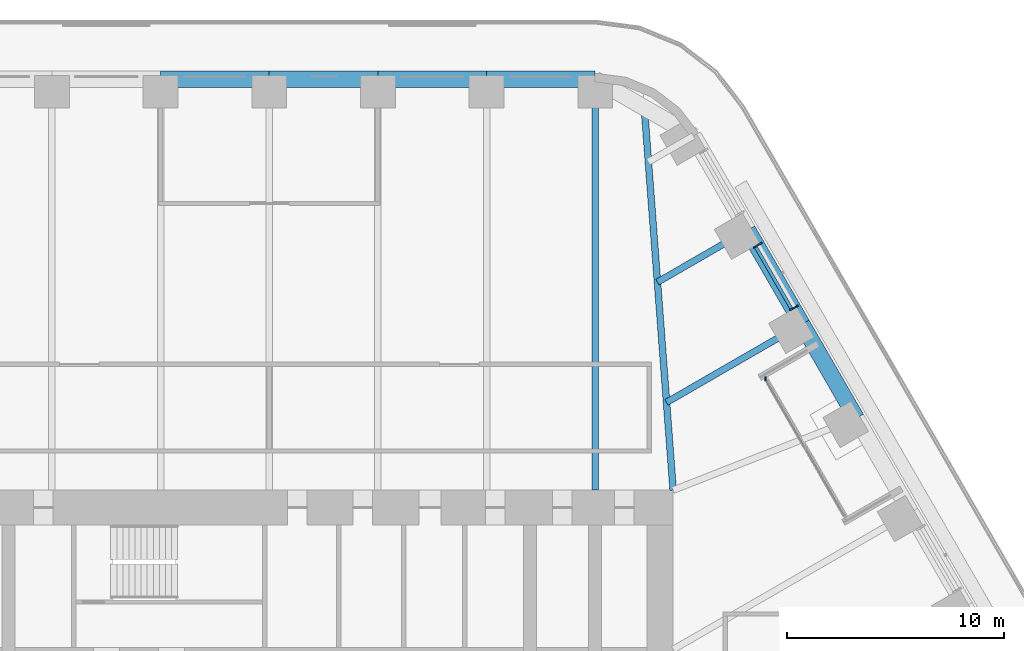
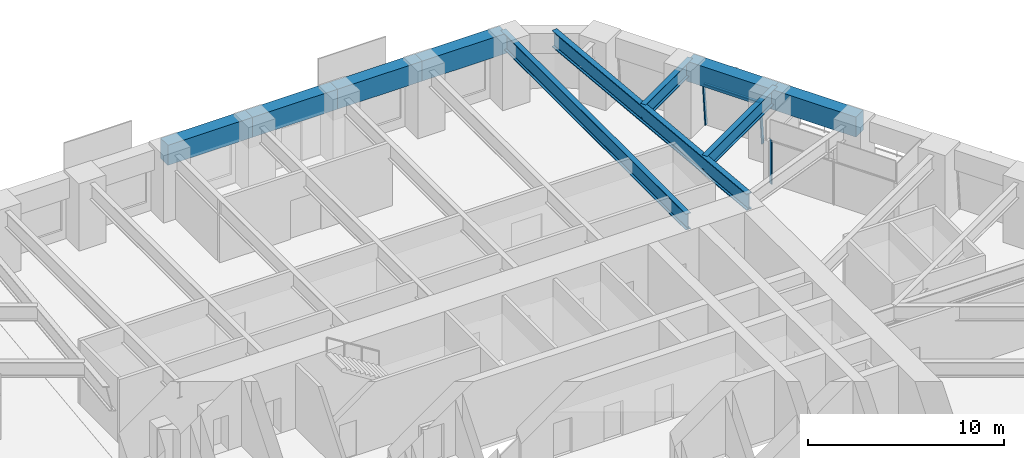
# One storey, part 12 of 24: 10 beams, 4 members, 2 elements without a shape of their own.
"""IFC4 building model written with IfcOpenShell, lengths in metres."""

from ifc_helpers import new_model, si_unit, direction, frame, origin, origin_2d, place, context, subcontext, project, spatial, rectangle, i_section, extrude, material, material_profile, profile_set, type_object, element, aggregate, save


model = new_model("IFC4")

# Units and contexts
model_context = context("Model", 3, precision=1e-05, world=origin(), true_north=direction((0.0, 1.0)))
body_context = subcontext(model_context, "Body", "Model", "MODEL_VIEW")
ifc_project = project(units=[si_unit("LENGTHUNIT", "METRE"), si_unit("AREAUNIT", "SQUARE_METRE"), si_unit("VOLUMEUNIT", "CUBIC_METRE"), si_unit("PLANEANGLEUNIT", "RADIAN"), si_unit("MASSUNIT", "GRAM", prefix="KILO")], contexts=[model_context])

# Site, building, storey
site_placement = place(None, origin())
site = spatial("IfcSite", under=ifc_project, at=site_placement, CompositionType="ELEMENT")
building_placement = place(site_placement, origin())
building = spatial("IfcBuilding", under=site, at=building_placement, Name="Tarfa Lantern Tower", CompositionType="ELEMENT")
storey_placement = place(building_placement, frame((0.0, 0.0, 148.89990234375)))
storey = spatial("IfcBuildingStorey", under=building, at=storey_placement, Name="L33", CompositionType="ELEMENT", Elevation=148.89990234375)

# Curtain wall, members
ifc_material_1 = material(Name="Aluminium framed curtain wall", Category="aluminium")
curtain_wall_type_1 = type_object("IfcCurtainWallType", Name="CW2 CANTED GLAZING MID ZONE 2750", PredefinedType="USERDEFINED", material=ifc_material_1)
curtain_wall_1_placement = place(storey_placement, origin())
curtain_wall_1 = element("IfcCurtainWall", 1, at=curtain_wall_1_placement, inside=storey, type_object=curtain_wall_type_1, Name="CW2 NEB L33", ObjectType="CURTAIN WALL", PredefinedType="USERDEFINED")
ifc_material_2 = material(Name="Aluminium mullion", Category="aluminium")
ifc_material_profile_1 = material_profile(ifc_material_2, rectangle(XDim=0.06494140625, YDim=0.199951171875, at=origin_2d()), Name="AL MULLION 65x200")
ifc_profile_set_1 = profile_set([ifc_material_profile_1], Name="Aluminium mullion")
member_type_1 = type_object("IfcMemberType", Name="CWM1 MULLION 65x200", PredefinedType="MULLION", material=ifc_profile_set_1)
member_1_placement = place(storey_placement, frame((24.275146484375, 20.75439453125, 0.0), z_axis=(-0.078422950161, -0.045267813396, 0.995891894715), x_axis=(0.499919672301, -0.866071776036, 0.0)))
member_1 = element("IfcMember", 2, at=member_1_placement, type_object=member_type_1, Name="CW2 mullion 1", PredefinedType="MULLION", context=body_context, shape_type="SweptSolid", body=[
    extrude(rectangle(XDim=0.06494140625, YDim=0.199951171875, at=origin_2d()), origin(), (0.0, 0.0, 1.0), 2.76123046875),
])
member_2_placement = place(storey_placement, frame((22.605712890625, 23.645751953125, 0.0), z_axis=(-0.078422950161, -0.045267813396, 0.995891894715), x_axis=(0.499919672301, -0.866071776036, 0.0)))
member_2 = element("IfcMember", 3, at=member_2_placement, type_object=member_type_1, Name="CW2 mullion 2", PredefinedType="MULLION", context=body_context, shape_type="SweptSolid", body=[
    extrude(rectangle(XDim=0.06494140625, YDim=0.199951171875, at=origin_2d()), origin(), (0.0, 0.0, 1.0), 2.76123046875),
])

# Curtain wall, member
curtain_wall_type_2 = type_object("IfcCurtainWallType", Name="CW10 LOGGIA GLAZING 2750", PredefinedType="USERDEFINED", material=ifc_material_1)
curtain_wall_2_placement = place(storey_placement, origin())
curtain_wall_2 = element("IfcCurtainWall", 4, at=curtain_wall_2_placement, inside=storey, type_object=curtain_wall_type_2, Name="CW10 NEL L33", ObjectType="CURTAIN WALL", PredefinedType="USERDEFINED")
member_3_placement = place(storey_placement, frame((22.84619140625, 17.429443359375, 0.0), z_axis=(0.0, 0.0, 1.0), x_axis=(1.0, 0.0, 0.0)))
member_3 = element("IfcMember", 5, at=member_3_placement, type_object=member_type_1, Name="CW10 mullion 3", PredefinedType="MULLION", context=body_context, shape_type="SweptSolid", body=[
    extrude(rectangle(XDim=0.06494140625, YDim=0.199951171875, at=origin_2d()), origin(), (0.0, 0.0, 1.0), 2.75),
])
aggregate(curtain_wall_2, [member_3])

# Member
ifc_material_3 = material(Name="Aluminium transom", Category="aluminium")
ifc_material_profile_2 = material_profile(ifc_material_3, rectangle(XDim=0.14990234375, YDim=0.06494140625, at=origin_2d()), Name="AL TRANSOM 150x65")
ifc_profile_set_2 = profile_set([ifc_material_profile_2], Name="Aluminium transom")
member_type_2 = type_object("IfcMemberType", Name="CWT1 TRANSOM 150x65", PredefinedType="USERDEFINED", material=ifc_profile_set_2)
member_4_placement = place(storey_placement, frame((24.044921875, 20.658935546875, 2.717529296875), z_axis=(-0.500012937857, 0.86601793398, 0.0), x_axis=(-0.86601793398, -0.500012937857, 0.0)))
member_4 = element("IfcMember", 6, at=member_4_placement, type_object=member_type_2, Name="CW2 transom 1.2", ObjectType="TRANSOM", PredefinedType="USERDEFINED", context=body_context, shape_type="SweptSolid", body=[
    extrude(rectangle(XDim=0.14990234375, YDim=0.06494140625, at=origin_2d()), origin(), (0.0, 0.0, 1.0), 3.27392578125),
])

aggregate(curtain_wall_1, [member_1, member_2, member_4])

# Beams
ifc_material_4 = material(Name="Concrete C80/95", Category="concrete")
ifc_material_profile_3 = material_profile(ifc_material_4, rectangle(XDim=0.75, YDim=1.25, at=origin_2d()), Name="RC 750x1250")
ifc_profile_set_3 = profile_set([ifc_material_profile_3], Name="Concrete C80/95")
beam_type_1 = type_object("IfcBeamType", Name="EB2 RC 750x1250", PredefinedType="SPANDREL", material=ifc_profile_set_3)
for number, where, z_axis, x_axis, name in (
    (7, (27.037353515625, 15.610107421875, 3.375), (-0.500022324899, 0.866012514114, 0.0), (-0.866012514114, -0.500022324899, 0.0), "Edge beam NE3"),
    (8, (24.535400390625, 19.943359375, 3.375), (-0.49998573051, 0.866033642122, 0.0), (-0.866033642122, -0.49998573051, 0.0), "Edge beam NE4"),
    (9, (15.010986328125, 31.219970703125, 3.375), (-1.0, 0.0, 0.0), (0.0, -1.0, 0.0), "Edge beam N0"),
    (10, (10.00732421875, 31.219970703125, 3.375), (-1.0, 0.0, 0.0), (0.0, -1.0, 0.0), "Edge beam N1"),
    (11, (5.003662109375, 31.219970703125, 3.375), (-1.0, 0.0, 0.0), (0.0, -1.0, 0.0), "Edge beam N2"),
    (12, (0.0, 31.219970703125, 3.375), (-1.0, 0.0, 0.0), (0.0, -1.0, 0.0), "Edge beam N3"),
):
    element("IfcBeam", number, at=place(storey_placement, frame(where, z_axis=z_axis, x_axis=x_axis)), inside=storey, type_object=beam_type_1, Name=name, PredefinedType="SPANDREL", context=body_context, shape_type="SweptSolid", body=[
        extrude(rectangle(XDim=0.75, YDim=1.25, at=origin_2d()), origin(), (0.0, 0.0, 1.0), 5.003662109375),
    ])
ifc_material_5 = material(Name="Steel S460M", Category="steel")
ifc_material_profile_4 = material_profile(ifc_material_5, i_section(OverallWidth=0.302001953125, OverallDepth=1.008056640625, WebThickness=0.02099609375, FlangeThickness=0.0400390625, FilletRadius=0.030029296875, at=origin_2d()), Name="UB1016x305x349")
ifc_profile_set_4 = profile_set([ifc_material_profile_4], Name="Steel S460M")
beam_type_2 = type_object("IfcBeamType", Name="UB1016x305x349", PredefinedType="BEAM", material=ifc_profile_set_4)
beam_1_placement = place(storey_placement, frame((15.010986328125, 31.219970703125, 3.49609375), z_axis=(0.0, -1.0, 0.0), x_axis=(1.0, 0.0, 0.0)))
element("IfcBeam", 13, at=beam_1_placement, inside=storey, type_object=beam_type_2, Name="Floor beam N0", PredefinedType="BEAM", context=body_context, shape_type="SweptSolid", body=[
    extrude(i_section(OverallWidth=0.302001953125, OverallDepth=1.008056640625, WebThickness=0.02099609375, FlangeThickness=0.0400390625, FilletRadius=0.030029296875, at=origin_2d()), origin(), (0.0, 0.0, 1.0), 18.919921875),
])
ifc_material_profile_5 = material_profile(ifc_material_5, i_section(OverallWidth=0.30859375, OverallDepth=1.036376953125, WebThickness=0.030029296875, FlangeThickness=0.05419921875, FilletRadius=0.030029296875, at=origin_2d()), Name="UB1016x305x487")
ifc_profile_set_5 = profile_set([ifc_material_profile_5], Name="Steel S460M")
beam_type_3 = type_object("IfcBeamType", Name="UB1016x305x487", PredefinedType="BEAM", material=ifc_profile_set_5)
beam_2_placement = place(storey_placement, frame((18.60009765625, 12.300048828125, 3.48193359375), z_axis=(-0.075211516041, 0.99716760269, 0.0), x_axis=(-0.99716760269, -0.075211516041, 0.0)))
element("IfcBeam", 14, at=beam_2_placement, inside=storey, type_object=beam_type_3, Name="Hip girder NE", PredefinedType="BEAM", context=body_context, shape_type="SweptSolid", body=[
    extrude(i_section(OverallWidth=0.30859375, OverallDepth=1.036376953125, WebThickness=0.030029296875, FlangeThickness=0.05419921875, FilletRadius=0.030029296875, at=origin_2d()), origin(), (0.0, 0.0, 1.0), 17.6650390625),
])
ifc_material_profile_6 = material_profile(ifc_material_5, i_section(OverallWidth=0.305419921875, OverallDepth=0.91845703125, WebThickness=0.017333984375, FlangeThickness=0.02783203125, FilletRadius=0.01904296875, at=origin_2d()), Name="UB914x305x253")
ifc_profile_set_6 = profile_set([ifc_material_profile_6], Name="Steel S460M")
beam_type_4 = type_object("IfcBeamType", Name="UB914x305x253", PredefinedType="BEAM", material=ifc_profile_set_6)
beam_3_placement = place(storey_placement, frame((24.535400390625, 19.943359375, 3.541015625), z_axis=(-0.86602647304, -0.499998147991, 0.0), x_axis=(0.499998147991, -0.86602647304, 0.0)))
element("IfcBeam", 15, at=beam_3_placement, inside=storey, type_object=beam_type_4, Name="Floor beam NE4", PredefinedType="BEAM", context=body_context, shape_type="SweptSolid", body=[
    extrude(i_section(OverallWidth=0.305419921875, OverallDepth=0.91845703125, WebThickness=0.017333984375, FlangeThickness=0.02783203125, FilletRadius=0.01904296875, at=origin_2d()), origin(), (0.0, 0.0, 1.0), 7.20556640625),
])
beam_4_placement = place(storey_placement, frame((22.03369140625, 24.276611328125, 3.541015625), z_axis=(-0.866030550462, -0.499991085587, 0.0), x_axis=(0.499991085587, -0.866030550462, 0.0)))
element("IfcBeam", 16, at=beam_4_placement, inside=storey, type_object=beam_type_4, Name="Floor beam NE5", PredefinedType="BEAM", context=body_context, shape_type="SweptSolid", body=[
    extrude(i_section(OverallWidth=0.305419921875, OverallDepth=0.91845703125, WebThickness=0.017333984375, FlangeThickness=0.02783203125, FilletRadius=0.01904296875, at=origin_2d()), origin(), (0.0, 0.0, 1.0), 4.798828125),
])

save(model, "model.ifc")
